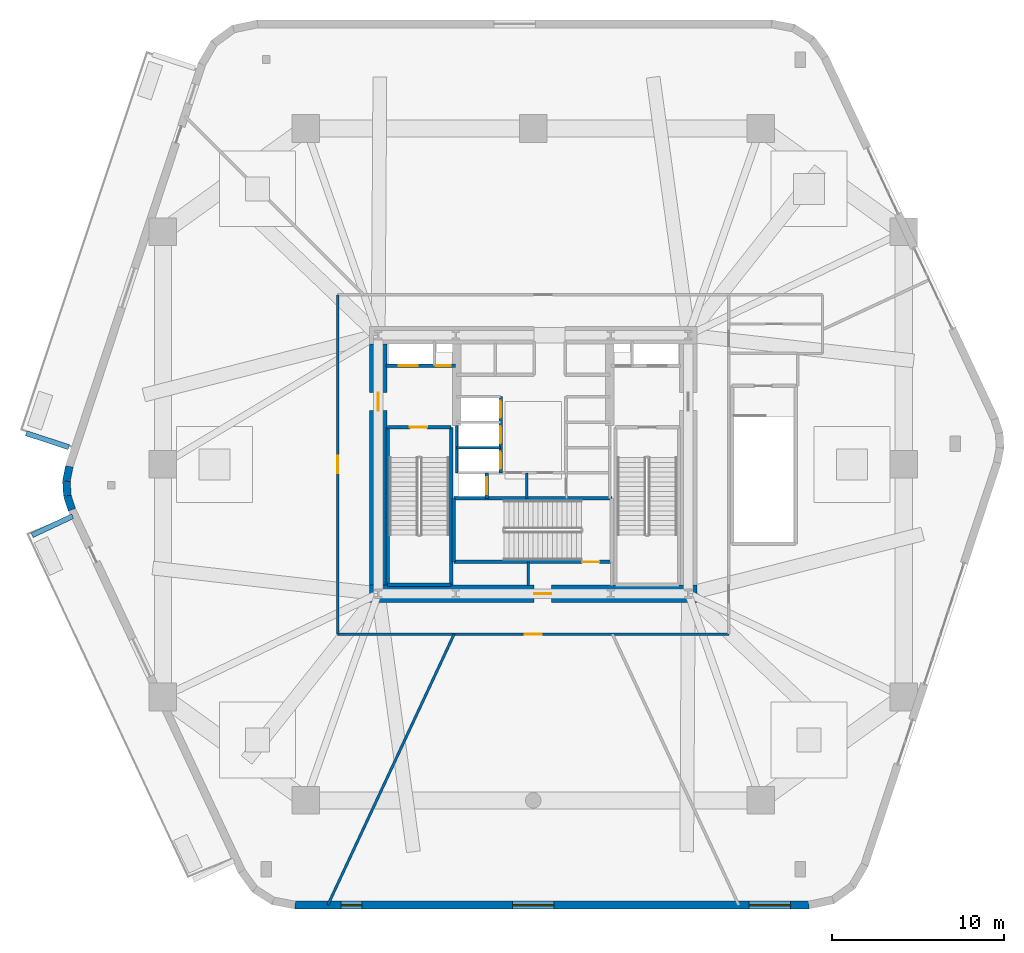
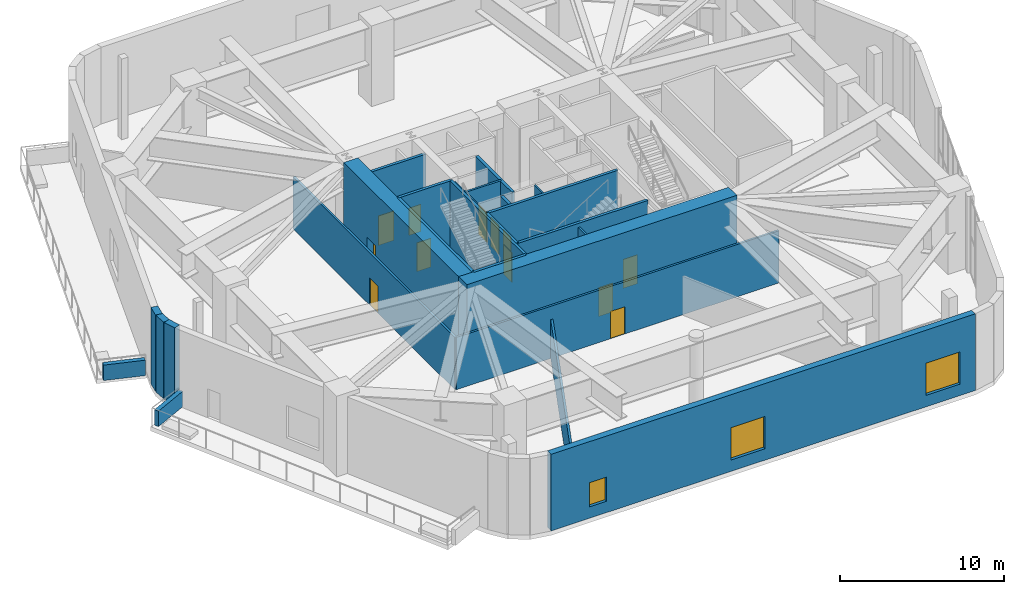
# One storey, part 8 of 14: 25 walls, 12 doors, 3 windows, 15 openings.
"""IFC4 building model written with IfcOpenShell, lengths in metres."""

from ifc_helpers import new_model, si_unit, direction, frame, frame_2d, origin, place, context, subcontext, project, spatial, rectangle, extrude, material, layer, layer_set, type_object, element, fill, save


model = new_model("IFC4")

# Units and contexts
model_context = context("Model", 3, precision=1e-05, world=origin(), true_north=direction((0.0, 1.0)))
body_context = subcontext(model_context, "Body", "Model", "MODEL_VIEW")
ifc_project = project(units=[si_unit("LENGTHUNIT", "METRE"), si_unit("AREAUNIT", "SQUARE_METRE"), si_unit("VOLUMEUNIT", "CUBIC_METRE"), si_unit("PLANEANGLEUNIT", "RADIAN"), si_unit("MASSUNIT", "GRAM", prefix="KILO")], contexts=[model_context])

# Site, building, storey
site_placement = place(None, origin())
site = spatial("IfcSite", under=ifc_project, at=site_placement, CompositionType="ELEMENT")
building_placement = place(site_placement, origin())
building = spatial("IfcBuilding", under=site, at=building_placement, Name="Kilnhurst Terrace Hotel", CompositionType="ELEMENT")
storey_placement = place(building_placement, frame((0.0, 0.0, 28.199951171875)))
storey = spatial("IfcBuildingStorey", under=building, at=storey_placement, Name="L05", CompositionType="ELEMENT", Elevation=28.199951171875)

# Walls
ifc_material_1 = material(Name="Precast concrete C40/50", Category="concrete")
ifc_layer_1 = layer(ifc_material_1, 0.449951171875, Name="Precast concrete C40/50")
ifc_layer_set_1 = layer_set([ifc_layer_1], Name="Precast concrete C40/50")
wall_type_1 = type_object("IfcWallType", Name="WL-BRK-450", PredefinedType="SOLIDWALL", material=ifc_layer_set_1)
wall_1_placement = place(storey_placement, frame((-26.93359375, -0.115234375, 0.0), z_axis=(0.0, 0.0, 1.0), x_axis=(-0.190786440539, -0.981631567395, 0.0)))
element("IfcWall", 1, at=wall_1_placement, inside=storey, type_object=wall_type_1, Name="L05 Rounded Corner Brick Wall C6.1", PredefinedType="SOLIDWALL", context=body_context, shape_type="SweptSolid", body=[
    extrude(rectangle(XDim=0.86376953125, YDim=0.449951171875, at=frame_2d((0.431884765625, 0.0))), origin(), (0.0, 0.0, 1.0), 5.699951171875),
])
wall_2_placement = place(storey_placement, frame((-27.098388671875, -0.963134765625, 0.0), z_axis=(0.0, 0.0, 1.0), x_axis=(0.060356219213, -0.998176901557, 0.0)))
element("IfcWall", 2, at=wall_2_placement, inside=storey, type_object=wall_type_1, Name="L05 Rounded Corner Brick Wall C6.2", PredefinedType="SOLIDWALL", context=body_context, shape_type="SweptSolid", body=[
    extrude(rectangle(XDim=0.849365234375, YDim=0.449951171875, at=frame_2d((0.4248046875, 0.0))), origin(), (0.0, 0.0, 1.0), 5.699951171875),
])
wall_3_placement = place(storey_placement, frame((-27.047119140625, -1.81103515625, 0.0), z_axis=(0.0, 0.0, 1.0), x_axis=(0.307993314005, -0.951388521335, 0.0)))
element("IfcWall", 3, at=wall_3_placement, inside=storey, type_object=wall_type_1, Name="L05 Rounded Corner Brick Wall C6.3", PredefinedType="SOLIDWALL", context=body_context, shape_type="SweptSolid", body=[
    extrude(rectangle(XDim=0.864013671875, YDim=0.449951171875, at=frame_2d((0.43212890625, 0.0))), origin(), (0.0, 0.0, 1.0), 5.699951171875),
])

# Wall, openings, windows
wall_4_placement = place(storey_placement, frame((-13.83837890625, -25.574951171875, 0.0), z_axis=(0.0, 0.0, 1.0), x_axis=(1.0, 0.0, 0.0)))
wall_4 = element("IfcWall", 4, at=wall_4_placement, inside=storey, type_object=wall_type_1, Name="L05 Exterior Brick Facade Wall F1", PredefinedType="SOLIDWALL", context=body_context, shape_type="SweptSolid", body=[
    extrude(rectangle(XDim=29.840576171875, YDim=0.449951171875, at=frame_2d((14.92041015625, 0.0))), origin(), (0.0, 0.0, 1.0), 5.699951171875),
])
opening_1_placement = place(wall_4_placement, frame((12.638916015625, 0.0, 0.85009765625)))
opening_1 = element("IfcOpeningElement", 5, at=opening_1_placement, cuts=wall_4, Name="Opening W-07", PredefinedType="OPENING", context=body_context, shape_type="SweptSolid", body=[
    extrude(rectangle(XDim=2.39990234375, YDim=2.39990234375, at=frame_2d((1.199951171875, 1.199951171875))), frame((0.0, 0.23486328125, 0.0), z_axis=(0.0, -1.0, 0.0), x_axis=(1.0, 0.0, 0.0)), (0.0, 0.0, 1.0), 0.469970703125),
])
opening_2_placement = place(wall_4_placement, frame((26.37109375, 0.0, 0.85009765625)))
opening_2 = element("IfcOpeningElement", 6, at=opening_2_placement, cuts=wall_4, Name="Opening W-07", PredefinedType="OPENING", context=body_context, shape_type="SweptSolid", body=[
    extrude(rectangle(XDim=2.39990234375, YDim=2.39990234375, at=frame_2d((1.199951171875, 1.199951171875))), frame((0.0, 0.23486328125, 0.0), z_axis=(0.0, -1.0, 0.0), x_axis=(1.0, 0.0, 0.0)), (0.0, 0.0, 1.0), 0.469970703125),
])
opening_3_placement = place(wall_4_placement, frame((2.68798828125, 0.0, 0.85009765625)))
opening_3 = element("IfcOpeningElement", 7, at=opening_3_placement, cuts=wall_4, Name="Opening W-03", PredefinedType="OPENING", context=body_context, shape_type="SweptSolid", body=[
    extrude(rectangle(XDim=1.199951171875, YDim=1.800048828125, at=frame_2d((0.60009765625, 0.89990234375))), frame((0.0, 0.23486328125, 0.0), z_axis=(0.0, -1.0, 0.0), x_axis=(1.0, 0.0, 0.0)), (0.0, 0.0, 1.0), 0.469970703125),
])
ifc_material_2 = material(Name="Thermally Broken Bronze Aluminium Alloy 6063-T6 and Low-E Glass", Category="aluminium")
window_type_1 = type_object("IfcWindowType", Name="WIN-1200X1800", PartitioningType="SINGLE_PANEL", PredefinedType="WINDOW", material=ifc_material_2)
window_1_placement = place(opening_3_placement, origin())
window_1 = element("IfcWindow", 8, at=window_1_placement, inside=storey, type_object=window_type_1, Name="L05 Deep-Set Masonry Window F1.3", OverallHeight=1.800048828125, OverallWidth=1.199951171875, PartitioningType="SINGLE_PANEL", PredefinedType="WINDOW", context=body_context, shape_type="SweptSolid", body=[
    extrude(rectangle(XDim=1.199951171875, YDim=1.800048828125, at=frame_2d((0.60009765625, 0.89990234375))), frame((0.0, 0.030029296875, 0.0), z_axis=(0.0, -1.0, 0.0), x_axis=(1.0, 0.0, 0.0)), (0.0, 0.0, 1.0), 0.06005859375),
])
fill(opening_3, window_1)
window_type_2 = type_object("IfcWindowType", Name="WIN-2400X2400", PartitioningType="SINGLE_PANEL", PredefinedType="WINDOW", material=ifc_material_2)
window_2_placement = place(opening_1_placement, origin())
window_2 = element("IfcWindow", 9, at=window_2_placement, inside=storey, type_object=window_type_2, Name="L05 Deep-Set Masonry Window F1.1", OverallHeight=2.39990234375, OverallWidth=2.39990234375, PartitioningType="SINGLE_PANEL", PredefinedType="WINDOW", context=body_context, shape_type="SweptSolid", body=[
    extrude(rectangle(XDim=2.39990234375, YDim=2.39990234375, at=frame_2d((1.199951171875, 1.199951171875))), frame((0.0, 0.030029296875, 0.0), z_axis=(0.0, -1.0, 0.0), x_axis=(1.0, 0.0, 0.0)), (0.0, 0.0, 1.0), 0.06005859375),
])
fill(opening_1, window_2)
window_3_placement = place(opening_2_placement, origin())
window_3 = element("IfcWindow", 10, at=window_3_placement, inside=storey, type_object=window_type_2, Name="L05 Deep-Set Masonry Window F1.2", OverallHeight=2.39990234375, OverallWidth=2.39990234375, PartitioningType="SINGLE_PANEL", PredefinedType="WINDOW", context=body_context, shape_type="SweptSolid", body=[
    extrude(rectangle(XDim=2.39990234375, YDim=2.39990234375, at=frame_2d((1.199951171875, 1.199951171875))), frame((0.0, 0.030029296875, 0.0), z_axis=(0.0, -1.0, 0.0), x_axis=(1.0, 0.0, 0.0)), (0.0, 0.0, 1.0), 0.06005859375),
])
fill(opening_2, window_3)

# Wall, opening, door
ifc_material_3 = material(Name="Acoustic Double-Gypsum Corridor Partition Assembly")
ifc_layer_2 = layer(ifc_material_3, 0.14990234375, Name="Acoustic Double-Gypsum Corridor Partition Assembly")
ifc_layer_set_2 = layer_set([ifc_layer_2], Name="Acoustic Double-Gypsum Corridor Partition Assembly")
wall_type_2 = type_object("IfcWallType", Name="WL-COR-150", PredefinedType="PARTITIONING", material=ifc_layer_set_2)
wall_5_placement = place(storey_placement, frame((-11.35009765625, -9.85009765625, 0.0), z_axis=(0.0, 0.0, 1.0), x_axis=(0.0, 1.0, 0.0)))
wall_5 = element("IfcWall", 11, at=wall_5_placement, inside=storey, type_object=wall_type_2, Name="L05 Interior Wall WL-L05-COR-01", PredefinedType="PARTITIONING", context=body_context, shape_type="SweptSolid", body=[
    extrude(rectangle(XDim=19.7001953125, YDim=0.14990234375, at=frame_2d((9.85009765625, 0.0))), origin(), (0.0, 0.0, 1.0), 3.89013671875),
])
opening_4_placement = place(wall_5_placement, frame((9.35009765625, 0.0, 0.0)))
opening_4 = element("IfcOpeningElement", 12, at=opening_4_placement, cuts=wall_5, Name="Opening D-10A", PredefinedType="OPENING", context=body_context, shape_type="SweptSolid", body=[
    extrude(rectangle(XDim=1.0, YDim=2.030029296875, at=frame_2d((0.5, 1.01513671875))), frame((0.0, 0.0849609375, 0.0), z_axis=(0.0, -1.0, 0.0), x_axis=(1.0, 0.0, 0.0)), (0.0, 0.0, 1.0), 0.169921875),
])
ifc_material_4 = material(Name="Solid-Core American White Oak Interior Door")
door_type_1 = type_object("IfcDoorType", Name="DR-INT-1000", OperationType="NOTDEFINED", PredefinedType="DOOR", material=ifc_material_4)
door_1_placement = place(opening_4_placement, origin())
door_1 = element("IfcDoor", 13, at=door_1_placement, inside=storey, type_object=door_type_1, Name="L05 Private Residence Club Executive Office Door", OperationType="SINGLE_SWING_RIGHT", OverallHeight=2.030029296875, OverallWidth=1.0, PredefinedType="DOOR", context=body_context, shape_type="SweptSolid", body=[
    extrude(rectangle(XDim=1.0, YDim=2.030029296875, at=frame_2d((0.5, 1.01513671875))), frame((0.0, 0.02490234375, 0.0), z_axis=(0.0, -1.0, 0.0), x_axis=(1.0, 0.0, 0.0)), (0.0, 0.0, 1.0), 0.050048828125),
])
fill(opening_4, door_1)

wall_6_placement = place(storey_placement, frame((11.35009765625, -9.85009765625, 0.0), z_axis=(0.0, 0.0, 1.0), x_axis=(-1.0, 0.0, 0.0)))
wall_6 = element("IfcWall", 14, at=wall_6_placement, inside=storey, type_object=wall_type_2, Name="L05 Interior Wall WL-L05-COR-04", PredefinedType="PARTITIONING", context=body_context, shape_type="SweptSolid", body=[
    extrude(rectangle(XDim=22.7001953125, YDim=0.14990234375, at=frame_2d((11.35009765625, 0.0))), origin(), (0.0, 0.0, 1.0), 3.89013671875),
])
opening_5_placement = place(wall_6_placement, frame((10.85009765625, 0.0, 0.0)))
opening_5 = element("IfcOpeningElement", 15, at=opening_5_placement, cuts=wall_6, Name="Opening D-10A", PredefinedType="OPENING", context=body_context, shape_type="SweptSolid", body=[
    extrude(rectangle(XDim=1.0, YDim=2.030029296875, at=frame_2d((0.5, 1.01513671875))), frame((0.0, 0.0849609375, 0.0), z_axis=(0.0, -1.0, 0.0), x_axis=(1.0, 0.0, 0.0)), (0.0, 0.0, 1.0), 0.169921875),
])
door_2_placement = place(opening_5_placement, origin())
door_2 = element("IfcDoor", 16, at=door_2_placement, inside=storey, type_object=door_type_1, Name="L05 Podium Terrace Garden Pavilion Lounge Door", OperationType="SINGLE_SWING_LEFT", OverallHeight=2.030029296875, OverallWidth=1.0, PredefinedType="DOOR", context=body_context, shape_type="SweptSolid", body=[
    extrude(rectangle(XDim=1.0, YDim=2.030029296875, at=frame_2d((0.5, 1.01513671875))), frame((0.0, 0.02490234375, 0.0), z_axis=(0.0, -1.0, 0.0), x_axis=(1.0, 0.0, 0.0)), (0.0, 0.0, 1.0), 0.050048828125),
])
fill(opening_5, door_2)

ifc_material_5 = material(Name="Concrete C80/95", Category="concrete")
ifc_layer_3 = layer(ifc_material_5, 1.0, Name="Concrete C80/95")
ifc_layer_set_3 = layer_set([ifc_layer_3], Name="Concrete C80/95")
wall_type_3 = type_object("IfcWallType", Name="WL-CORE-1000", PredefinedType="SHEAR", material=ifc_layer_set_3)
wall_7_placement = place(storey_placement, frame((-9.5, -7.5, 0.0), z_axis=(0.0, 0.0, 1.0), x_axis=(1.0, 0.0, 0.0)))
wall_7 = element("IfcWall", 17, at=wall_7_placement, inside=storey, type_object=wall_type_3, Name="L05 Core South Shear Wall", PredefinedType="SHEAR", context=body_context, shape_type="SweptSolid", body=[
    extrude(rectangle(XDim=19.0, YDim=1.0, at=frame_2d((9.5, 0.0))), origin(), (0.0, 0.0, 1.0), 6.0),
])
opening_6_placement = place(wall_7_placement, frame((9.550048828125, 0.0, 0.0)))
opening_6 = element("IfcOpeningElement", 18, at=opening_6_placement, cuts=wall_7, Name="Opening D-90B", PredefinedType="OPENING", context=body_context, shape_type="SweptSolid", body=[
    extrude(rectangle(XDim=1.0, YDim=2.14990234375, at=frame_2d((0.5, 1.074951171875))), frame((0.0, 0.510009765625, 0.0), z_axis=(0.0, -1.0, 0.0), x_axis=(1.0, 0.0, 0.0)), (0.0, 0.0, 1.0), 1.02001953125),
])
ifc_material_6 = material(Name="Painted Hollow Metal Steel ASTM A36 Fire Door", Category="steel")
door_type_2 = type_object("IfcDoorType", Name="DR-FD90-1000", OperationType="NOTDEFINED", PredefinedType="DOOR", material=ifc_material_6)
door_3_placement = place(opening_6_placement, origin())
door_3 = element("IfcDoor", 19, at=door_3_placement, inside=storey, type_object=door_type_2, Name="L05 Stair ST-3 Corridor Door", OperationType="SINGLE_SWING_RIGHT", OverallHeight=2.14990234375, OverallWidth=1.0, PredefinedType="DOOR", context=body_context, shape_type="SweptSolid", body=[
    extrude(rectangle(XDim=1.0, YDim=2.14990234375, at=frame_2d((0.5, 1.074951171875))), frame((0.0, 0.02490234375, 0.0), z_axis=(0.0, -1.0, 0.0), x_axis=(1.0, 0.0, 0.0)), (0.0, 0.0, 1.0), 0.050048828125),
])
fill(opening_6, door_3)

wall_8_placement = place(storey_placement, frame((-9.0, -7.0, 0.0), z_axis=(0.0, 0.0, 1.0), x_axis=(0.0, 1.0, 0.0)))
wall_8 = element("IfcWall", 20, at=wall_8_placement, inside=storey, type_object=wall_type_3, Name="L05 Core West Shear Wall", PredefinedType="SHEAR", context=body_context, shape_type="SweptSolid", body=[
    extrude(rectangle(XDim=14.0, YDim=1.0, at=frame_2d((7.0, 0.0))), origin(), (0.0, 0.0, 1.0), 6.0),
])
opening_7_placement = place(wall_8_placement, frame((10.125, 0.0, 0.0)))
opening_7 = element("IfcOpeningElement", 21, at=opening_7_placement, cuts=wall_8, Name="Opening D-90A", PredefinedType="OPENING", context=body_context, shape_type="SweptSolid", body=[
    extrude(rectangle(XDim=1.050048828125, YDim=2.14990234375, at=frame_2d((0.52490234375, 1.074951171875))), frame((0.0, 0.510009765625, 0.0), z_axis=(0.0, -1.0, 0.0), x_axis=(1.0, 0.0, 0.0)), (0.0, 0.0, 1.0), 1.02001953125),
])
door_type_3 = type_object("IfcDoorType", Name="DR-FD90-1050", OperationType="NOTDEFINED", PredefinedType="DOOR", material=ifc_material_6)
door_4_placement = place(opening_7_placement, origin())
door_4 = element("IfcDoor", 22, at=door_4_placement, inside=storey, type_object=door_type_3, Name="L05 West Firefighting Lobby Door", OperationType="SINGLE_SWING_RIGHT", OverallHeight=2.14990234375, OverallWidth=1.050048828125, PredefinedType="DOOR", context=body_context, shape_type="SweptSolid", body=[
    extrude(rectangle(XDim=1.050048828125, YDim=2.14990234375, at=frame_2d((0.52490234375, 1.074951171875))), frame((0.0, 0.02490234375, 0.0), z_axis=(0.0, -1.0, 0.0), x_axis=(1.0, 0.0, 0.0)), (0.0, 0.0, 1.0), 0.050048828125),
])
fill(opening_7, door_4)

# Walls
ifc_layer_4 = layer(ifc_material_1, 0.300048828125, Name="Precast concrete C40/50")
ifc_layer_set_4 = layer_set([ifc_layer_4], Name="Precast concrete C40/50")
wall_type_4 = type_object("IfcWallType", Name="WL-PAR-300", PredefinedType="PARAPET", material=ifc_layer_set_4)
for number, where, z_axis, x_axis, name in (
    (23, (-26.9638671875, 1.0, 0.0), (0.0, 0.0, 1.0), (-0.949766874343, 0.31295827901, 0.0), "L05 Terrace End Parapet Wall TERR-1.2"),
    (24, (-26.735595703125, -3.0, 0.0), (0.0, 0.0, 1.0), (-0.905124882367, -0.425145795369, 0.0), "L05 Terrace End Parapet Wall TERR-2.1"),
):
    element("IfcWall", number, at=place(storey_placement, frame(where, z_axis=z_axis, x_axis=x_axis)), inside=storey, type_object=wall_type_4, Name=name, PredefinedType="PARAPET", context=body_context, shape_type="SweptSolid", body=[
        extrude(rectangle(XDim=2.60009765625, YDim=0.300048828125, at=frame_2d((1.300048828125, 0.0))), origin(), (0.0, 0.0, 1.0), 1.150146484375),
    ])
ifc_material_7 = material(Name="120 mm Moisture-Resistant Tile-Backed Bathroom Partition")
ifc_layer_5 = layer(ifc_material_7, 0.1201171875, Name="120 mm Moisture-Resistant Tile-Backed Bathroom Partition")
ifc_layer_set_5 = layer_set([ifc_layer_5], Name="120 mm Moisture-Resistant Tile-Backed Bathroom Partition")
wall_type_5 = type_object("IfcWallType", Name="WL-PART-120", PredefinedType="PARTITIONING", material=ifc_layer_set_5)
wall_9_placement = place(storey_placement, frame((-0.3798828125, -1.971923828125, 0.0), z_axis=(0.0, 0.0, 1.0), x_axis=(0.0, 1.0, 0.0)))
element("IfcWall", 25, at=wall_9_placement, inside=storey, type_object=wall_type_5, Name="L05 Interior Wall WL-L05-BOH-C1", PredefinedType="PARTITIONING", context=body_context, shape_type="SweptSolid", body=[
    extrude(rectangle(XDim=1.471923828125, YDim=0.1201171875, at=frame_2d((0.73583984375, 0.0))), origin(), (0.0, 0.0, 1.0), 5.699951171875),
])
ifc_material_8 = material(Name="150 mm Acoustic Gypsum Hospitality Partition")
ifc_layer_6 = layer(ifc_material_8, 0.14990234375, Name="150 mm Acoustic Gypsum Hospitality Partition")
ifc_layer_set_6 = layer_set([ifc_layer_6], Name="150 mm Acoustic Gypsum Hospitality Partition")
wall_type_6 = type_object("IfcWallType", Name="WL-PART-150", PredefinedType="PARTITIONING", material=ifc_layer_set_6)
wall_10_placement = place(storey_placement, frame((-4.593017578125, -9.85009765625, 0.0), z_axis=(0.0, 0.0, 1.0), x_axis=(-0.422625081422, -0.906304606936, 0.0)))
element("IfcWall", 26, at=wall_10_placement, inside=storey, type_object=wall_type_6, Name="L05 Interior Wall WL-L05-PDIV-1-1", PredefinedType="PARTITIONING", context=body_context, shape_type="SweptSolid", body=[
    extrude(rectangle(XDim=17.3505859375, YDim=0.14990234375, at=frame_2d((8.67529296875, 0.0))), origin(), (0.0, 0.0, 1.0), 2.89013671875),
])
ifc_material_9 = material(Name="Fire-Rated Gypsum Shaftliner Assembly")
ifc_layer_7 = layer(ifc_material_9, 0.14990234375, Name="Fire-Rated Gypsum Shaftliner Assembly")
ifc_layer_set_7 = layer_set([ifc_layer_7], Name="Fire-Rated Gypsum Shaftliner Assembly")
wall_type_7 = type_object("IfcWallType", Name="WL-SHAFT-150", PredefinedType="PARTITIONING", material=ifc_layer_set_7)
wall_11_placement = place(storey_placement, frame((-0.300048828125, -7.02001953125, 0.0), z_axis=(0.0, 0.0, 1.0), x_axis=(0.0, 1.0, 0.0)))
element("IfcWall", 27, at=wall_11_placement, inside=storey, type_object=wall_type_7, Name="L05 Interior Wall WL-L05-ST3-PSGW", PredefinedType="PARTITIONING", context=body_context, shape_type="SweptSolid", body=[
    extrude(rectangle(XDim=1.362060546875, YDim=0.14990234375, at=frame_2d((0.68115234375, 0.0))), origin(), (0.0, 0.0, 1.0), 5.699951171875),
])
wall_12_placement = place(storey_placement, frame((-4.449951171875, -0.5, 0.0), z_axis=(0.0, 0.0, 1.0), x_axis=(0.0, 1.0, 0.0)))
element("IfcWall", 28, at=wall_12_placement, inside=storey, type_object=wall_type_7, Name="L05 Interior Wall WL-L05-XLOB-W", PredefinedType="PARTITIONING", context=body_context, shape_type="SweptSolid", body=[
    extrude(rectangle(XDim=2.75, YDim=0.14990234375, at=frame_2d((1.375, 0.0))), origin(), (0.0, 0.0, 1.0), 5.699951171875),
])
wall_13_placement = place(storey_placement, frame((-4.449951171875, 0.97998046875, 0.0), z_axis=(0.0, 0.0, 1.0), x_axis=(1.0, 0.0, 0.0)))
element("IfcWall", 29, at=wall_13_placement, inside=storey, type_object=wall_type_7, Name="L05 Interior Wall WL-L05-LR-D1", PredefinedType="PARTITIONING", context=body_context, shape_type="SweptSolid", body=[
    extrude(rectangle(XDim=2.550048828125, YDim=0.14990234375, at=frame_2d((1.27490234375, 0.0))), origin(), (0.0, 0.0, 1.0), 5.699951171875),
])

# Wall, openings, doors
ifc_material_10 = material(Name="Autoclaved Aerated Concrete C30/37 and Gypsum Shaft Assembly", Category="concrete")
ifc_layer_8 = layer(ifc_material_10, 0.199951171875, Name="Autoclaved Aerated Concrete C30/37 and Gypsum Shaft Assembly")
ifc_layer_set_8 = layer_set([ifc_layer_8], Name="Autoclaved Aerated Concrete C30/37 and Gypsum Shaft Assembly")
wall_type_8 = type_object("IfcWallType", Name="WL-SHAFT-200", PredefinedType="PARTITIONING", material=ifc_layer_set_8)
wall_14_placement = place(storey_placement, frame((-8.550048828125, 5.739990234375, 0.0), z_axis=(0.0, 0.0, 1.0), x_axis=(1.0, 0.0, 0.0)))
wall_14 = element("IfcWall", 30, at=wall_14_placement, inside=storey, type_object=wall_type_8, Name="L05 Interior Wall WL-L05-FSAE1-S", PredefinedType="PARTITIONING", context=body_context, shape_type="SweptSolid", body=[
    extrude(rectangle(XDim=4.050048828125, YDim=0.199951171875, at=frame_2d((2.02490234375, 0.0))), origin(), (0.0, 0.0, 1.0), 5.699951171875),
])
opening_8_placement = place(wall_14_placement, frame((0.75, 0.0, 0.0)))
opening_8 = element("IfcOpeningElement", 31, at=opening_8_placement, cuts=wall_14, Name="Opening LD-F1", PredefinedType="OPENING", context=body_context, shape_type="SweptSolid", body=[
    extrude(rectangle(XDim=1.10009765625, YDim=2.199951171875, at=frame_2d((0.550048828125, 1.10009765625))), frame((0.0, 0.10986328125, 0.0), z_axis=(0.0, -1.0, 0.0), x_axis=(1.0, 0.0, 0.0)), (0.0, 0.0, 1.0), 0.219970703125),
])
opening_9_placement = place(wall_14_placement, frame((2.89990234375, 0.0, 0.0)))
opening_9 = element("IfcOpeningElement", 32, at=opening_9_placement, cuts=wall_14, Name="Opening D-60D", PredefinedType="OPENING", context=body_context, shape_type="SweptSolid", body=[
    extrude(rectangle(XDim=0.85009765625, YDim=2.030029296875, at=frame_2d((0.425048828125, 1.01513671875))), frame((0.0, 0.10986328125, 0.0), z_axis=(0.0, -1.0, 0.0), x_axis=(1.0, 0.0, 0.0)), (0.0, 0.0, 1.0), 0.219970703125),
])
ifc_material_11 = material(Name="Painted Hollow Metal Steel ASTM A36 Riser Door", Category="steel")
door_type_4 = type_object("IfcDoorType", Name="DR-FD60-850", OperationType="NOTDEFINED", PredefinedType="DOOR", material=ifc_material_11)
door_5_placement = place(opening_9_placement, origin())
door_5 = element("IfcDoor", 33, at=door_5_placement, inside=storey, type_object=door_type_4, Name="L05 Electrical Riser Door", OperationType="SINGLE_SWING_LEFT", OverallHeight=2.030029296875, OverallWidth=0.85009765625, PredefinedType="DOOR", context=body_context, shape_type="SweptSolid", body=[
    extrude(rectangle(XDim=0.85009765625, YDim=2.030029296875, at=frame_2d((0.425048828125, 1.01513671875))), frame((0.0, 0.02490234375, 0.0), z_axis=(0.0, -1.0, 0.0), x_axis=(1.0, 0.0, 0.0)), (0.0, 0.0, 1.0), 0.050048828125),
])
fill(opening_9, door_5)
ifc_material_12 = material(Name="Bronze-Anodized Stainless Steel AISI 316L Sliding Door", Category="steel")
door_type_5 = type_object("IfcDoorType", Name="DR-LIFT-1100", OperationType="NOTDEFINED", PredefinedType="DOOR", material=ifc_material_12)
door_6_placement = place(opening_8_placement, origin())
door_6 = element("IfcDoor", 34, at=door_6_placement, inside=storey, type_object=door_type_5, Name="L05 FSAE-1 Landing Door", OperationType="SLIDING_TO_LEFT", OverallHeight=2.199951171875, OverallWidth=1.10009765625, PredefinedType="DOOR", context=body_context, shape_type="SweptSolid", body=[
    extrude(rectangle(XDim=1.10009765625, YDim=2.199951171875, at=frame_2d((0.550048828125, 1.10009765625))), frame((0.0, 0.02490234375, 0.0), z_axis=(0.0, -1.0, 0.0), x_axis=(1.0, 0.0, 0.0)), (0.0, 0.0, 1.0), 0.050048828125),
])
fill(opening_8, door_6)

# Wall, opening, door
wall_15_placement = place(storey_placement, frame((-2.699951171875, -1.971923828125, 0.0), z_axis=(0.0, 0.0, 1.0), x_axis=(0.0, 1.0, 0.0)))
wall_15 = element("IfcWall", 35, at=wall_15_placement, inside=storey, type_object=wall_type_8, Name="L05 Interior Wall WL-L05-SRV1-E", PredefinedType="PARTITIONING", context=body_context, shape_type="SweptSolid", body=[
    extrude(rectangle(XDim=1.471923828125, YDim=0.199951171875, at=frame_2d((0.73583984375, 0.0))), origin(), (0.0, 0.0, 1.0), 5.699951171875),
])
opening_10_placement = place(wall_15_placement, frame((0.239990234375, 0.0, 0.0)))
opening_10 = element("IfcOpeningElement", 36, at=opening_10_placement, cuts=wall_15, Name="Opening LD-SV", PredefinedType="OPENING", context=body_context, shape_type="SweptSolid", body=[
    extrude(rectangle(XDim=1.0, YDim=2.199951171875, at=frame_2d((0.5, 1.10009765625))), frame((0.0, 0.10986328125, 0.0), z_axis=(0.0, -1.0, 0.0), x_axis=(1.0, 0.0, 0.0)), (0.0, 0.0, 1.0), 0.219970703125),
])
door_type_6 = type_object("IfcDoorType", Name="DR-LIFT-1000", OperationType="NOTDEFINED", PredefinedType="DOOR", material=ifc_material_12)
door_7_placement = place(opening_10_placement, origin())
door_7 = element("IfcDoor", 37, at=door_7_placement, inside=storey, type_object=door_type_6, Name="L05 Service Lift SRV-1 Landing Door", OperationType="SLIDING_TO_LEFT", OverallHeight=2.199951171875, OverallWidth=1.0, PredefinedType="DOOR", context=body_context, shape_type="SweptSolid", body=[
    extrude(rectangle(XDim=1.0, YDim=2.199951171875, at=frame_2d((0.5, 1.10009765625))), frame((0.0, 0.02490234375, 0.0), z_axis=(0.0, -1.0, 0.0), x_axis=(1.0, 0.0, 0.0)), (0.0, 0.0, 1.0), 0.050048828125),
])
fill(opening_10, door_7)

# Wall, openings, doors
wall_16_placement = place(storey_placement, frame((-1.89990234375, -0.5, 0.0), z_axis=(0.0, 0.0, 1.0), x_axis=(0.0, 1.0, 0.0)))
wall_16 = element("IfcWall", 38, at=wall_16_placement, inside=storey, type_object=wall_type_8, Name="L05 Interior Wall WL-L05-LR-FRONT", PredefinedType="PARTITIONING", context=body_context, shape_type="SweptSolid", body=[
    extrude(rectangle(XDim=4.43994140625, YDim=0.199951171875, at=frame_2d((2.219970703125, 0.0))), origin(), (0.0, 0.0, 1.0), 5.699951171875),
])
opening_11_placement = place(wall_16_placement, frame((0.239990234375, 0.0, 0.0)))
opening_11 = element("IfcOpeningElement", 39, at=opening_11_placement, cuts=wall_16, Name="Opening LD-LR", PredefinedType="OPENING", context=body_context, shape_type="SweptSolid", body=[
    extrude(rectangle(XDim=1.0, YDim=2.199951171875, at=frame_2d((0.5, 1.10009765625))), frame((0.0, 0.10986328125, 0.0), z_axis=(0.0, -1.0, 0.0), x_axis=(1.0, 0.0, 0.0)), (0.0, 0.0, 1.0), 0.219970703125),
])
opening_12_placement = place(wall_16_placement, frame((1.719970703125, 0.0, 0.0)))
opening_12 = element("IfcOpeningElement", 40, at=opening_12_placement, cuts=wall_16, Name="Opening LD-LR", PredefinedType="OPENING", context=body_context, shape_type="SweptSolid", body=[
    extrude(rectangle(XDim=1.0, YDim=2.199951171875, at=frame_2d((0.5, 1.10009765625))), frame((0.0, 0.10986328125, 0.0), z_axis=(0.0, -1.0, 0.0), x_axis=(1.0, 0.0, 0.0)), (0.0, 0.0, 1.0), 0.219970703125),
])
opening_13_placement = place(wall_16_placement, frame((3.199951171875, 0.0, 0.0)))
opening_13 = element("IfcOpeningElement", 41, at=opening_13_placement, cuts=wall_16, Name="Opening LD-LR", PredefinedType="OPENING", context=body_context, shape_type="SweptSolid", body=[
    extrude(rectangle(XDim=1.0, YDim=2.199951171875, at=frame_2d((0.5, 1.10009765625))), frame((0.0, 0.10986328125, 0.0), z_axis=(0.0, -1.0, 0.0), x_axis=(1.0, 0.0, 0.0)), (0.0, 0.0, 1.0), 0.219970703125),
])
door_8_placement = place(opening_11_placement, origin())
door_8 = element("IfcDoor", 42, at=door_8_placement, inside=storey, type_object=door_type_6, Name="L05 Low Rise Lift LR-1 Landing Door", OperationType="SLIDING_TO_LEFT", OverallHeight=2.199951171875, OverallWidth=1.0, PredefinedType="DOOR", context=body_context, shape_type="SweptSolid", body=[
    extrude(rectangle(XDim=1.0, YDim=2.199951171875, at=frame_2d((0.5, 1.10009765625))), frame((0.0, 0.02490234375, 0.0), z_axis=(0.0, -1.0, 0.0), x_axis=(1.0, 0.0, 0.0)), (0.0, 0.0, 1.0), 0.050048828125),
])
fill(opening_11, door_8)
door_9_placement = place(opening_12_placement, origin())
door_9 = element("IfcDoor", 43, at=door_9_placement, inside=storey, type_object=door_type_6, Name="L05 Low Rise Lift LR-2 Landing Door", OperationType="SLIDING_TO_LEFT", OverallHeight=2.199951171875, OverallWidth=1.0, PredefinedType="DOOR", context=body_context, shape_type="SweptSolid", body=[
    extrude(rectangle(XDim=1.0, YDim=2.199951171875, at=frame_2d((0.5, 1.10009765625))), frame((0.0, 0.02490234375, 0.0), z_axis=(0.0, -1.0, 0.0), x_axis=(1.0, 0.0, 0.0)), (0.0, 0.0, 1.0), 0.050048828125),
])
fill(opening_12, door_9)
door_10_placement = place(opening_13_placement, origin())
door_10 = element("IfcDoor", 44, at=door_10_placement, inside=storey, type_object=door_type_6, Name="L05 Low Rise Lift LR-3 Landing Door", OperationType="SLIDING_TO_LEFT", OverallHeight=2.199951171875, OverallWidth=1.0, PredefinedType="DOOR", context=body_context, shape_type="SweptSolid", body=[
    extrude(rectangle(XDim=1.0, YDim=2.199951171875, at=frame_2d((0.5, 1.10009765625))), frame((0.0, 0.02490234375, 0.0), z_axis=(0.0, -1.0, 0.0), x_axis=(1.0, 0.0, 0.0)), (0.0, 0.0, 1.0), 0.050048828125),
])
fill(opening_13, door_10)

# Walls
ifc_material_13 = material(Name="Concrete C50/60", Category="concrete")
ifc_layer_9 = layer(ifc_material_13, 0.199951171875, Name="Concrete C50/60")
ifc_layer_set_9 = layer_set([ifc_layer_9], Name="Concrete C50/60")
wall_type_9 = type_object("IfcWallType", Name="WL-STAIR-RC-200", PredefinedType="SHEAR", material=ifc_layer_set_9)
for number, where, z_axis, x_axis, name in (
    (45, (-8.4580078125, -6.985107421875, 0.0), (0.0, 0.0, 1.0), (0.0, 1.0, 0.0), "L05 Structural Stair Shaft Wall WL-L05-ST1-W"),
    (46, (-4.77197265625, -6.985107421875, 0.0), (0.0, 0.0, 1.0), (0.0, 1.0, 0.0), "L05 Structural Stair Shaft Wall WL-L05-ST1-E"),
):
    element("IfcWall", number, at=place(storey_placement, frame(where, z_axis=z_axis, x_axis=x_axis)), inside=storey, type_object=wall_type_9, Name=name, PredefinedType="SHEAR", context=body_context, shape_type="SweptSolid", body=[
        extrude(rectangle(XDim=9.14306640625, YDim=0.199951171875, at=frame_2d((4.571533203125, 0.0))), origin(), (0.0, 0.0, 1.0), 6.0),
    ])
wall_17_placement = place(storey_placement, frame((-8.4580078125, -6.985107421875, 0.0), z_axis=(0.0, 0.0, 1.0), x_axis=(1.0, 0.0, 0.0)))
element("IfcWall", 47, at=wall_17_placement, inside=storey, type_object=wall_type_9, Name="L05 Structural Stair Shaft Wall WL-L05-ST1-S", PredefinedType="SHEAR", context=body_context, shape_type="SweptSolid", body=[
    extrude(rectangle(XDim=3.68603515625, YDim=0.199951171875, at=frame_2d((1.843017578125, 0.0))), origin(), (0.0, 0.0, 1.0), 6.0),
])

# Wall, opening, door
wall_18_placement = place(storey_placement, frame((-8.4580078125, 2.157958984375, 0.0), z_axis=(0.0, 0.0, 1.0), x_axis=(1.0, 0.0, 0.0)))
wall_18 = element("IfcWall", 48, at=wall_18_placement, inside=storey, type_object=wall_type_9, Name="L05 Structural Stair Shaft Wall WL-L05-ST1-N", PredefinedType="SHEAR", context=body_context, shape_type="SweptSolid", body=[
    extrude(rectangle(XDim=3.68603515625, YDim=0.199951171875, at=frame_2d((1.843017578125, 0.0))), origin(), (0.0, 0.0, 1.0), 6.0),
])
opening_14_placement = place(wall_18_placement, frame((1.300048828125, 0.0, 0.0)))
opening_14 = element("IfcOpeningElement", 49, at=opening_14_placement, cuts=wall_18, Name="Opening D-90B", PredefinedType="OPENING", context=body_context, shape_type="SweptSolid", body=[
    extrude(rectangle(XDim=1.0, YDim=2.14990234375, at=frame_2d((0.5, 1.074951171875))), frame((0.0, 0.10986328125, 0.0), z_axis=(0.0, -1.0, 0.0), x_axis=(1.0, 0.0, 0.0)), (0.0, 0.0, 1.0), 0.219970703125),
])
door_11_placement = place(opening_14_placement, origin())
door_11 = element("IfcDoor", 50, at=door_11_placement, inside=storey, type_object=door_type_2, Name="L05 Stair ST-1 Door", OperationType="SINGLE_SWING_LEFT", OverallHeight=2.14990234375, OverallWidth=1.0, PredefinedType="DOOR", context=body_context, shape_type="SweptSolid", body=[
    extrude(rectangle(XDim=1.0, YDim=2.14990234375, at=frame_2d((0.5, 1.074951171875))), frame((0.0, 0.02490234375, 0.0), z_axis=(0.0, -1.0, 0.0), x_axis=(1.0, 0.0, 0.0)), (0.0, 0.0, 1.0), 0.050048828125),
])
fill(opening_14, door_11)

# Wall
wall_19_placement = place(storey_placement, frame((-4.60791015625, -5.657958984375, 0.0), z_axis=(0.0, 0.0, 1.0), x_axis=(0.0, 1.0, 0.0)))
element("IfcWall", 51, at=wall_19_placement, inside=storey, type_object=wall_type_9, Name="L05 Structural Stair Shaft Wall WL-L05-ST3-W", PredefinedType="SHEAR", context=body_context, shape_type="SweptSolid", body=[
    extrude(rectangle(XDim=3.68603515625, YDim=0.199951171875, at=frame_2d((1.843017578125, 0.0))), origin(), (0.0, 0.0, 1.0), 6.0),
])

# Wall, opening, door
wall_20_placement = place(storey_placement, frame((-4.60791015625, -5.657958984375, 0.0), z_axis=(0.0, 0.0, 1.0), x_axis=(1.0, 0.0, 0.0)))
wall_20 = element("IfcWall", 52, at=wall_20_placement, inside=storey, type_object=wall_type_9, Name="L05 Structural Stair Shaft Wall WL-L05-ST3-S", PredefinedType="SHEAR", context=body_context, shape_type="SweptSolid", body=[
    extrude(rectangle(XDim=9.166015625, YDim=0.199951171875, at=frame_2d((4.5830078125, 0.0))), origin(), (0.0, 0.0, 1.0), 6.0),
])
opening_15_placement = place(wall_20_placement, frame((7.449951171875, 0.0, 0.0)))
opening_15 = element("IfcOpeningElement", 53, at=opening_15_placement, cuts=wall_20, Name="Opening D-90B", PredefinedType="OPENING", context=body_context, shape_type="SweptSolid", body=[
    extrude(rectangle(XDim=1.0, YDim=2.14990234375, at=frame_2d((0.5, 1.074951171875))), frame((0.0, 0.10986328125, 0.0), z_axis=(0.0, -1.0, 0.0), x_axis=(1.0, 0.0, 0.0)), (0.0, 0.0, 1.0), 0.219970703125),
])
door_12_placement = place(opening_15_placement, origin())
door_12 = element("IfcDoor", 54, at=door_12_placement, inside=storey, type_object=door_type_2, Name="L05 Stair ST-3 Shaft Door", OperationType="SINGLE_SWING_LEFT", OverallHeight=2.14990234375, OverallWidth=1.0, PredefinedType="DOOR", context=body_context, shape_type="SweptSolid", body=[
    extrude(rectangle(XDim=1.0, YDim=2.14990234375, at=frame_2d((0.5, 1.074951171875))), frame((0.0, 0.02490234375, 0.0), z_axis=(0.0, -1.0, 0.0), x_axis=(1.0, 0.0, 0.0)), (0.0, 0.0, 1.0), 0.050048828125),
])
fill(opening_15, door_12)

# Wall
wall_21_placement = place(storey_placement, frame((-4.60791015625, -1.971923828125, 0.0), z_axis=(0.0, 0.0, 1.0), x_axis=(1.0, 0.0, 0.0)))
element("IfcWall", 55, at=wall_21_placement, inside=storey, type_object=wall_type_9, Name="L05 Structural Stair Shaft Wall WL-L05-ST3-N", PredefinedType="SHEAR", context=body_context, shape_type="SweptSolid", body=[
    extrude(rectangle(XDim=9.166015625, YDim=0.199951171875, at=frame_2d((4.5830078125, 0.0))), origin(), (0.0, 0.0, 1.0), 6.0),
])

save(model, "model.ifc")
